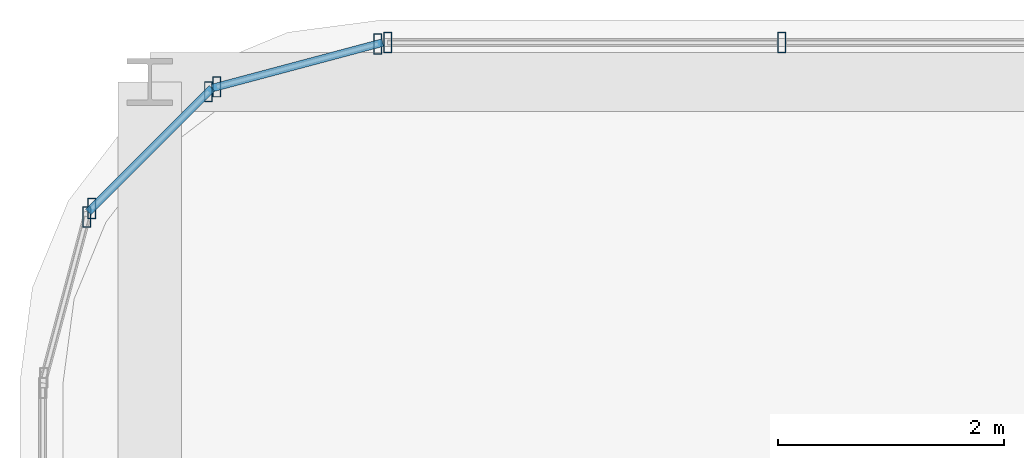
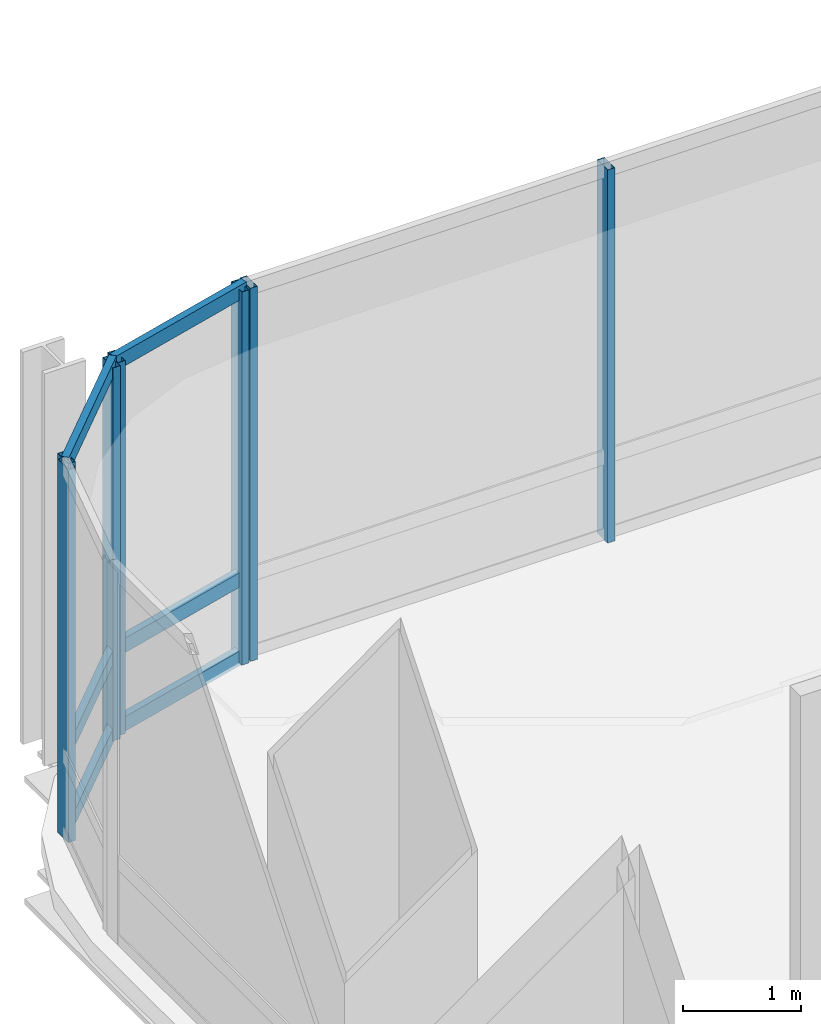
# One storey, part 24 of 42: 13 members, 4 elements without a shape of their own.
"""IFC4 building model written with IfcOpenShell, lengths in metres."""

from ifc_helpers import new_model, si_unit, direction, frame, origin, origin_2d, place, context, subcontext, project, spatial, hollow_rectangle, extrude, material, material_profile, profile_set, type_object, element, aggregate, save


model = new_model("IFC4")

# Units and contexts
model_context = context("Model", 3, precision=1e-05, world=origin(), true_north=direction((0.0, 1.0)))
body_context = subcontext(model_context, "Body", "Model", "MODEL_VIEW")
ifc_project = project(units=[si_unit("LENGTHUNIT", "METRE"), si_unit("AREAUNIT", "SQUARE_METRE"), si_unit("VOLUMEUNIT", "CUBIC_METRE"), si_unit("PLANEANGLEUNIT", "RADIAN"), si_unit("MASSUNIT", "GRAM", prefix="KILO")], contexts=[model_context])

# Site, building, storey
site_placement = place(None, origin())
site = spatial("IfcSite", under=ifc_project, at=site_placement, CompositionType="ELEMENT")
building_placement = place(site_placement, origin())
building = spatial("IfcBuilding", under=site, at=building_placement, Name="Punatoya Terracotta Tower", CompositionType="ELEMENT")
storey_placement = place(building_placement, frame((0.0, 0.0, 263.550048828125)))
storey = spatial("IfcBuildingStorey", under=building, at=storey_placement, Name="L62", CompositionType="ELEMENT", Elevation=263.550048828125)

# Curtain wall, members
ifc_material_1 = material(Name="Aluminium 6063-T6 + Double Low-E Glass", Category="aluminium")
curtain_wall_type = type_object("IfcCurtainWallType", Name="CW-M3", PredefinedType="NOTDEFINED", material=ifc_material_1)
curtain_wall_1_placement = place(storey_placement, origin())
curtain_wall_1 = element("IfcCurtainWall", 1, at=curtain_wall_1_placement, inside=storey, type_object=curtain_wall_type, Name="L62 Curtain Wall CW-L62-N09-1", PredefinedType="NOTDEFINED")
ifc_material_2 = material(Name="Aluminium 6063-T6", Category="aluminium")
ifc_material_profile_1 = material_profile(ifc_material_2, hollow_rectangle(XDim=0.070068359375, YDim=0.179931640625, WallThickness=0.00390625, at=origin_2d()))
ifc_profile_set_1 = profile_set([ifc_material_profile_1], Name="Aluminium 6063-T6")
member_type_1 = type_object("IfcMemberType", Name="CW-MUL-M3", PredefinedType="MULLION", material=ifc_profile_set_1)
member_1_placement = place(storey_placement, frame((-13.5029296875, 23.25, 0.0), z_axis=(0.0, 0.0, 1.0), x_axis=(1.0, 0.0, 0.0)))
member_1 = element("IfcMember", 2, at=member_1_placement, type_object=member_type_1, Name="CW-L62-N09-1 Mullion 10", PredefinedType="MULLION", context=body_context, shape_type="SweptSolid", body=[
    extrude(hollow_rectangle(XDim=0.070068359375, YDim=0.179931640625, WallThickness=0.00390625, at=origin_2d()), origin(), (0.0, 0.0, 1.0), 3.849853515625),
])
member_2_placement = place(storey_placement, frame((-16.991943359375, 23.25, 0.0), z_axis=(0.0, 0.0, 1.0), x_axis=(1.0, 0.0, 0.0)))
member_2 = element("IfcMember", 3, at=member_2_placement, type_object=member_type_1, Name="CW-L62-N09-1 Mullion 11", PredefinedType="MULLION", context=body_context, shape_type="SweptSolid", body=[
    extrude(hollow_rectangle(XDim=0.070068359375, YDim=0.179931640625, WallThickness=0.00390625, at=origin_2d()), origin(), (0.0, 0.0, 1.0), 3.849853515625),
])
aggregate(curtain_wall_1, [member_1, member_2])

curtain_wall_2_placement = place(storey_placement, origin())
curtain_wall_2 = element("IfcCurtainWall", 4, at=curtain_wall_2_placement, inside=storey, type_object=curtain_wall_type, Name="L62 Curtain Wall CW-L62-CRN10", PredefinedType="NOTDEFINED")
member_3_placement = place(storey_placement, frame((-17.080322265625, 23.23828125, 0.0), z_axis=(0.0, 0.0, 1.0), x_axis=(1.0, 0.0, 0.0)))
member_3 = element("IfcMember", 5, at=member_3_placement, type_object=member_type_1, Name="CW-L62-CRN10 Mullion 00", PredefinedType="MULLION", context=body_context, shape_type="SweptSolid", body=[
    extrude(hollow_rectangle(XDim=0.070068359375, YDim=0.179931640625, WallThickness=0.00390625, at=origin_2d()), origin(), (0.0, 0.0, 1.0), 3.849853515625),
])
member_4_placement = place(storey_placement, frame((-18.505615234375, 22.858154296875, 0.0), z_axis=(0.0, 0.0, 1.0), x_axis=(1.0, 0.0, 0.0)))
member_4 = element("IfcMember", 6, at=member_4_placement, type_object=member_type_1, Name="CW-L62-CRN10 Mullion 01", PredefinedType="MULLION", context=body_context, shape_type="SweptSolid", body=[
    extrude(hollow_rectangle(XDim=0.070068359375, YDim=0.179931640625, WallThickness=0.00390625, at=origin_2d()), origin(), (0.0, 0.0, 1.0), 3.849853515625),
])

curtain_wall_3_placement = place(storey_placement, origin())
curtain_wall_3 = element("IfcCurtainWall", 7, at=curtain_wall_3_placement, inside=storey, type_object=curtain_wall_type, Name="L62 Curtain Wall CW-L62-CRN11", PredefinedType="NOTDEFINED")
member_5_placement = place(storey_placement, frame((-18.580810546875, 22.814697265625, 0.0), z_axis=(0.0, 0.0, 1.0), x_axis=(1.0, 0.0, 0.0)))
member_5 = element("IfcMember", 8, at=member_5_placement, type_object=member_type_1, Name="CW-L62-CRN11 Mullion 00", PredefinedType="MULLION", context=body_context, shape_type="SweptSolid", body=[
    extrude(hollow_rectangle(XDim=0.070068359375, YDim=0.179931640625, WallThickness=0.00390625, at=origin_2d()), origin(), (0.0, 0.0, 1.0), 3.849853515625),
])
member_6_placement = place(storey_placement, frame((-19.61474609375, 21.781005859375, 0.0), z_axis=(0.0, 0.0, 1.0), x_axis=(1.0, 0.0, 0.0)))
member_6 = element("IfcMember", 9, at=member_6_placement, type_object=member_type_1, Name="CW-L62-CRN11 Mullion 01", PredefinedType="MULLION", context=body_context, shape_type="SweptSolid", body=[
    extrude(hollow_rectangle(XDim=0.070068359375, YDim=0.179931640625, WallThickness=0.00390625, at=origin_2d()), origin(), (0.0, 0.0, 1.0), 3.849853515625),
])

# Curtain wall, member
curtain_wall_4_placement = place(storey_placement, origin())
curtain_wall_4 = element("IfcCurtainWall", 10, at=curtain_wall_4_placement, inside=storey, type_object=curtain_wall_type, Name="L62 Curtain Wall CW-L62-CRN12", PredefinedType="NOTDEFINED")
member_7_placement = place(storey_placement, frame((-19.658203125, 21.70556640625, 0.0), z_axis=(0.0, 0.0, 1.0), x_axis=(1.0, 0.0, 0.0)))
member_7 = element("IfcMember", 11, at=member_7_placement, type_object=member_type_1, Name="CW-L62-CRN12 Mullion 00", PredefinedType="MULLION", context=body_context, shape_type="SweptSolid", body=[
    extrude(hollow_rectangle(XDim=0.070068359375, YDim=0.179931640625, WallThickness=0.00390625, at=origin_2d()), origin(), (0.0, 0.0, 1.0), 3.849853515625),
])
aggregate(curtain_wall_4, [member_7])

# Member
ifc_material_profile_2 = material_profile(ifc_material_2, hollow_rectangle(XDim=0.068115234375, YDim=0.14990234375, WallThickness=0.00390625, at=origin_2d()))
ifc_profile_set_2 = profile_set([ifc_material_profile_2], Name="Aluminium 6063-T6")
member_type_2 = type_object("IfcMemberType", Name="CW-TRN-TYP", PredefinedType="USERDEFINED", material=ifc_profile_set_2)
member_8_placement = place(storey_placement, frame((-17.036865234375, 23.25, 0.0400390625), z_axis=(-0.966224582397, -0.257701486942, 0.0), x_axis=(0.257701486942, -0.966224582397, 0.0)))
member_8 = element("IfcMember", 12, at=member_8_placement, type_object=member_type_2, Name="CW-L62-CRN10 Transom 1", ObjectType="TRANSOM", PredefinedType="USERDEFINED", context=body_context, shape_type="SweptSolid", body=[
    extrude(hollow_rectangle(XDim=0.068115234375, YDim=0.14990234375, WallThickness=0.00390625, at=origin_2d()), origin(), (0.0, 0.0, 1.0), 1.565185546875),
])

member_9_placement = place(storey_placement, frame((-17.036865234375, 23.25, 0.849853515625), z_axis=(-0.966224582397, -0.257701486942, 0.0), x_axis=(0.257701486942, -0.966224582397, 0.0)))
member_9 = element("IfcMember", 13, at=member_9_placement, type_object=member_type_2, Name="CW-L62-CRN10 Transom 2", ObjectType="TRANSOM", PredefinedType="USERDEFINED", context=body_context, shape_type="SweptSolid", body=[
    extrude(hollow_rectangle(XDim=0.068115234375, YDim=0.14990234375, WallThickness=0.00390625, at=origin_2d()), origin(), (0.0, 0.0, 1.0), 1.565185546875),
])

member_10_placement = place(storey_placement, frame((-17.036865234375, 23.25, 3.81005859375), z_axis=(-0.966224582397, -0.257701486942, 0.0), x_axis=(0.257701486942, -0.966224582397, 0.0)))
member_10 = element("IfcMember", 14, at=member_10_placement, type_object=member_type_2, Name="CW-L62-CRN10 Transom 3", ObjectType="TRANSOM", PredefinedType="USERDEFINED", context=body_context, shape_type="SweptSolid", body=[
    extrude(hollow_rectangle(XDim=0.068115234375, YDim=0.14990234375, WallThickness=0.00390625, at=origin_2d()), origin(), (0.0, 0.0, 1.0), 1.565185546875),
])

aggregate(curtain_wall_2, [member_3, member_4, member_8, member_9, member_10])

member_11_placement = place(storey_placement, frame((-18.549072265625, 22.8466796875, 0.0400390625), z_axis=(-0.707028130747, -0.707185422879, 0.0), x_axis=(0.707185422879, -0.707028130747, 0.0)))
member_11 = element("IfcMember", 15, at=member_11_placement, type_object=member_type_2, Name="CW-L62-CRN11 Transom 1", ObjectType="TRANSOM", PredefinedType="USERDEFINED", context=body_context, shape_type="SweptSolid", body=[
    extrude(hollow_rectangle(XDim=0.068115234375, YDim=0.14990234375, WallThickness=0.00390625, at=origin_2d()), origin(), (0.0, 0.0, 1.0), 1.55224609375),
])

member_12_placement = place(storey_placement, frame((-18.549072265625, 22.8466796875, 0.849853515625), z_axis=(-0.707028130747, -0.707185422879, 0.0), x_axis=(0.707185422879, -0.707028130747, 0.0)))
member_12 = element("IfcMember", 16, at=member_12_placement, type_object=member_type_2, Name="CW-L62-CRN11 Transom 2", ObjectType="TRANSOM", PredefinedType="USERDEFINED", context=body_context, shape_type="SweptSolid", body=[
    extrude(hollow_rectangle(XDim=0.068115234375, YDim=0.14990234375, WallThickness=0.00390625, at=origin_2d()), origin(), (0.0, 0.0, 1.0), 1.55224609375),
])

member_13_placement = place(storey_placement, frame((-18.549072265625, 22.8466796875, 3.81005859375), z_axis=(-0.707028130747, -0.707185422879, 0.0), x_axis=(0.707185422879, -0.707028130747, 0.0)))
member_13 = element("IfcMember", 17, at=member_13_placement, type_object=member_type_2, Name="CW-L62-CRN11 Transom 3", ObjectType="TRANSOM", PredefinedType="USERDEFINED", context=body_context, shape_type="SweptSolid", body=[
    extrude(hollow_rectangle(XDim=0.068115234375, YDim=0.14990234375, WallThickness=0.00390625, at=origin_2d()), origin(), (0.0, 0.0, 1.0), 1.55224609375),
])

aggregate(curtain_wall_3, [member_5, member_6, member_11, member_12, member_13])

save(model, "model.ifc")
